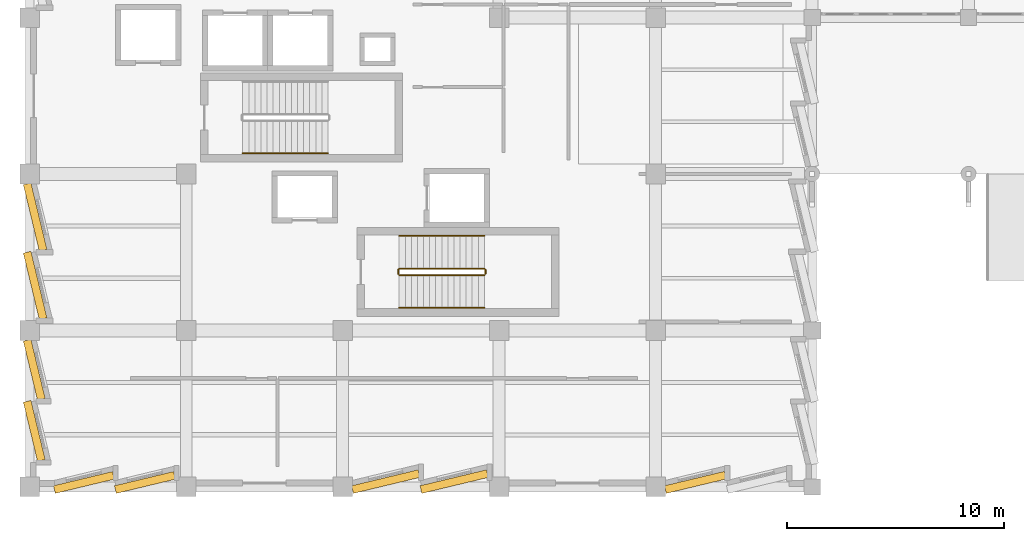
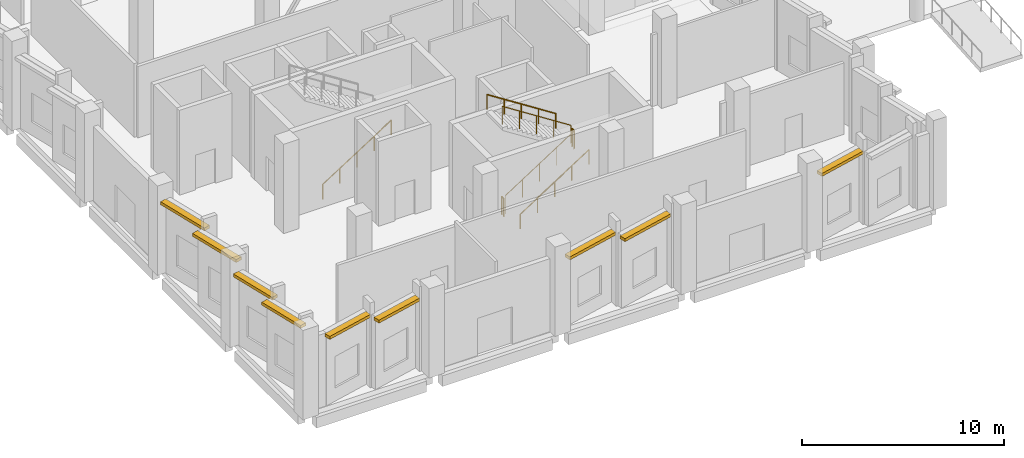
# One storey, part 119 of 137: 9 shading devices, 7 railings.
"""IFC4 building model written with IfcOpenShell, lengths in metres."""

from ifc_helpers import new_model, si_unit, direction, frame, origin, origin_2d, place, context, subcontext, project, spatial, rectangle, circle, extrude, material, layer, layer_set, type_object, element, save


model = new_model("IFC4")

# Units and contexts
model_context = context("Model", 3, precision=1e-05, world=origin(), true_north=direction((0.0, 1.0)))
body_context = subcontext(model_context, "Body", "Model", "MODEL_VIEW")
ifc_project = project(units=[si_unit("LENGTHUNIT", "METRE"), si_unit("AREAUNIT", "SQUARE_METRE"), si_unit("VOLUMEUNIT", "CUBIC_METRE"), si_unit("PLANEANGLEUNIT", "RADIAN"), si_unit("MASSUNIT", "GRAM", prefix="KILO")], contexts=[model_context])

# Site, building, storey
site_placement = place(None, origin())
site = spatial("IfcSite", under=ifc_project, at=site_placement, CompositionType="ELEMENT")
building_placement = place(site_placement, origin())
building = spatial("IfcBuilding", under=site, at=building_placement, Name="Kalmorath City Hall", CompositionType="ELEMENT")
storey_placement = place(building_placement, origin())
storey = spatial("IfcBuildingStorey", under=building, at=storey_placement, Name="L00", CompositionType="ELEMENT", Elevation=0.0)

# Shading devices
ifc_material_1 = material(Name="Precast concrete C40/50", Category="concrete")
ifc_layer = layer(ifc_material_1, 0.179931640625)
ifc_layer_set = layer_set([ifc_layer], Name="Precast concrete C40/50")
shading_device_type = type_object("IfcShadingDeviceType", Name="Precast sawtooth brow sunshade 350", PredefinedType="USERDEFINED", material=ifc_layer_set)
for number, where, z_axis, x_axis, name in (
    (1, (0.2060546875, 2.581787109375, 4.2509765625), (0.0, 0.0, 1.0), (-0.233445363856, 0.972369920398, 0.0), "L00 precast sawtooth hood #1"),
    (2, (0.2060546875, 5.390625, 4.2509765625), (0.0, 0.0, 1.0), (-0.233445363856, 0.972369920398, 0.0), "L00 precast sawtooth hood #2"),
):
    element("IfcShadingDevice", number, at=place(storey_placement, frame(where, z_axis=z_axis, x_axis=x_axis)), inside=storey, type_object=shading_device_type, Name=name, ObjectType="SUNSHADE", PredefinedType="USERDEFINED", context=body_context, shape_type="SweptSolid", body=[
        extrude(rectangle(XDim=2.793701171875, YDim=0.360107421875, at=origin_2d()), origin(), (0.0, 0.0, 1.0), 0.179931640625),
    ])
for number, where, z_axis, x_axis, name in (
    (3, (0.246826171875, 9.271728515625, 4.2509765625), (0.0, 0.0, 1.0), (-0.233445363856, 0.972369920398, 0.0), "L00 precast sawtooth hood #3"),
    (4, (0.246826171875, 12.420654296875, 4.2509765625), (0.0, 0.0, 1.0), (-0.233445363856, 0.972369920398, 0.0), "L00 precast sawtooth hood #4"),
):
    element("IfcShadingDevice", number, at=place(storey_placement, frame(where, z_axis=z_axis, x_axis=x_axis)), inside=storey, type_object=shading_device_type, Name=name, ObjectType="SUNSHADE", PredefinedType="USERDEFINED", context=body_context, shape_type="SweptSolid", body=[
        extrude(rectangle(XDim=3.1435546875, YDim=0.360107421875, at=origin_2d()), origin(), (0.0, 0.0, 1.0), 0.179931640625),
    ])
shading_device_placement = place(storey_placement, frame((30.628173828125, 0.210693359375, 4.201171875), z_axis=(0.0, 0.0, 1.0), x_axis=(-0.972369920398, -0.233445363856, 0.0)))
element("IfcShadingDevice", 5, at=shading_device_placement, inside=storey, type_object=shading_device_type, Name="L00 precast sawtooth hood #57", ObjectType="SUNSHADE", PredefinedType="USERDEFINED", context=body_context, shape_type="SweptSolid", body=[
    extrude(rectangle(XDim=2.83251953125, YDim=0.360107421875, at=origin_2d()), origin(), (0.0, 0.0, 1.0), 0.179931640625),
])
for number, where, z_axis, x_axis, name in (
    (6, (19.5283203125, 0.246826171875, 4.201171875), (0.0, 0.0, 1.0), (-0.972369920398, -0.233445363856, 0.0), "L00 precast sawtooth hood #58"),
    (7, (16.37939453125, 0.246826171875, 4.201171875), (0.0, 0.0, 1.0), (-0.972369920398, -0.233445363856, 0.0), "L00 precast sawtooth hood #59"),
):
    element("IfcShadingDevice", number, at=place(storey_placement, frame(where, z_axis=z_axis, x_axis=x_axis)), inside=storey, type_object=shading_device_type, Name=name, ObjectType="SUNSHADE", PredefinedType="USERDEFINED", context=body_context, shape_type="SweptSolid", body=[
        extrude(rectangle(XDim=3.1435546875, YDim=0.360107421875, at=origin_2d()), origin(), (0.0, 0.0, 1.0), 0.179931640625),
    ])
for number, where, z_axis, x_axis, name in (
    (8, (5.29833984375, 0.2060546875, 4.201171875), (0.0, 0.0, 1.0), (-0.972369920398, -0.233445363856, 0.0), "L00 precast sawtooth hood #60"),
    (9, (2.4892578125, 0.2060546875, 4.201171875), (0.0, 0.0, 1.0), (-0.972369920398, -0.233445363856, 0.0), "L00 precast sawtooth hood #61"),
):
    element("IfcShadingDevice", number, at=place(storey_placement, frame(where, z_axis=z_axis, x_axis=x_axis)), inside=storey, type_object=shading_device_type, Name=name, ObjectType="SUNSHADE", PredefinedType="USERDEFINED", context=body_context, shape_type="SweptSolid", body=[
        extrude(rectangle(XDim=2.793701171875, YDim=0.360107421875, at=origin_2d()), origin(), (0.0, 0.0, 1.0), 0.179931640625),
    ])

# Railings
ifc_material_2 = material(Name="Painted steel guardrail", Category="steel")
railing_type_1 = type_object("IfcRailingType", Name="Protected stair guardrail 1100", PredefinedType="GUARDRAIL", material=ifc_material_2)
railing_1_placement = place(storey_placement, frame((17.0, 9.75, 0.179931640625)))
element("IfcRailing", 10, at=railing_1_placement, inside=storey, type_object=railing_type_1, Name="L00 ST-2 stair guard 1", PredefinedType="GUARDRAIL", context=body_context, shape_type="SweptSolid", body=[
    extrude(circle(Radius=0.02392578125, at=origin_2d()), frame((0.0, 0.0, 1.076171875), z_axis=(0.841171666519, 0.0, 0.540768182723), x_axis=(0.0, 1.0, 0.0)), (0.0, 0.0, 1.0), 4.66015625),
    extrude(circle(Radius=0.02099609375, at=origin_2d()), origin(), (0.0, 0.0, 1.0), 1.052001953125),
    extrude(circle(Radius=0.02099609375, at=origin_2d()), frame((0.97998046875, 0.0, 0.6298828125)), (0.0, 0.0, 1.0), 1.052001953125),
    extrude(circle(Radius=0.02099609375, at=origin_2d()), frame((1.9599609375, 0.0, 1.260009765625)), (0.0, 0.0, 1.0), 1.052001953125),
    extrude(circle(Radius=0.02099609375, at=origin_2d()), frame((2.93994140625, 0.0, 1.89013671875)), (0.0, 0.0, 1.0), 1.052001953125),
    extrude(circle(Radius=0.02099609375, at=origin_2d()), frame((3.919921875, 0.0, 2.52001953125)), (0.0, 0.0, 1.0), 1.052001953125),
])
railing_2_placement = place(storey_placement, frame((20.969970703125, 9.800048828125, 2.699951171875)))
element("IfcRailing", 11, at=railing_2_placement, inside=storey, type_object=railing_type_1, Name="L00 ST-2 stair guard 2", PredefinedType="GUARDRAIL", context=body_context, shape_type="SweptSolid", body=[
    extrude(circle(Radius=0.02392578125, at=origin_2d()), frame((0.0, 0.0, 1.076171875), z_axis=(0.0, 1.0, 0.0), x_axis=(-1.0, 0.0, 0.0)), (0.0, 0.0, 1.0), 0.199951171875),
    extrude(circle(Radius=0.02099609375, at=origin_2d()), origin(), (0.0, 0.0, 1.0), 1.052001953125),
    extrude(circle(Radius=0.02099609375, at=origin_2d()), frame((0.0, 0.199951171875, 0.0)), (0.0, 0.0, 1.0), 1.052001953125),
])
railing_3_placement = place(storey_placement, frame((20.919921875, 10.050048828125, 2.8798828125)))
element("IfcRailing", 12, at=railing_3_placement, inside=storey, type_object=railing_type_1, Name="L00 ST-2 stair guard 3", PredefinedType="GUARDRAIL", context=body_context, shape_type="SweptSolid", body=[
    extrude(circle(Radius=0.02392578125, at=origin_2d()), frame((0.0, 0.0, 1.076171875), z_axis=(-0.841171666519, 0.0, 0.540768182723), x_axis=(0.0, -1.0, 0.0)), (0.0, 0.0, 1.0), 4.66015625),
    extrude(circle(Radius=0.02099609375, at=origin_2d()), origin(), (0.0, 0.0, 1.0), 1.052001953125),
    extrude(circle(Radius=0.02099609375, at=origin_2d()), frame((-0.97998046875, 0.0, 0.6298828125)), (0.0, 0.0, 1.0), 1.052001953125),
    extrude(circle(Radius=0.02099609375, at=origin_2d()), frame((-1.9599609375, 0.0, 1.260009765625)), (0.0, 0.0, 1.0), 1.052001953125),
    extrude(circle(Radius=0.02099609375, at=origin_2d()), frame((-2.93994140625, 0.0, 1.89013671875)), (0.0, 0.0, 1.0), 1.052001953125),
    extrude(circle(Radius=0.02099609375, at=origin_2d()), frame((-3.919921875, 0.0, 2.52001953125)), (0.0, 0.0, 1.0), 1.052001953125),
])
railing_4_placement = place(storey_placement, frame((16.949951171875, 9.800048828125, 0.0)))
element("IfcRailing", 13, at=railing_4_placement, inside=storey, type_object=railing_type_1, Name="L00 ST-2 stair guard 4", PredefinedType="GUARDRAIL", context=body_context, shape_type="SweptSolid", body=[
    extrude(circle(Radius=0.02392578125, at=origin_2d()), frame((0.0, 0.0, 1.076171875), z_axis=(0.0, 1.0, 0.0), x_axis=(-1.0, 0.0, 0.0)), (0.0, 0.0, 1.0), 0.199951171875),
    extrude(circle(Radius=0.02099609375, at=origin_2d()), origin(), (0.0, 0.0, 1.0), 1.052001953125),
    extrude(circle(Radius=0.02099609375, at=origin_2d()), frame((0.0, 0.199951171875, 0.0)), (0.0, 0.0, 1.0), 1.052001953125),
])
ifc_material_3 = material(Name="Brushed stainless steel handrail", Category="steel")
railing_type_2 = type_object("IfcRailingType", Name="Stair pitch handrail 900", PredefinedType="HANDRAIL", material=ifc_material_3)
for number, where, name in (
    (14, (9.800048828125, 15.35009765625, 0.179931640625), "L00 ST-1 stair handrail 1"),
    (15, (17.0, 8.25, 0.179931640625), "L00 ST-2 stair handrail 1"),
):
    element("IfcRailing", number, at=place(storey_placement, frame(where)), inside=storey, type_object=railing_type_2, Name=name, PredefinedType="HANDRAIL", context=body_context, shape_type="SweptSolid", body=[
        extrude(circle(Radius=0.02392578125, at=origin_2d()), frame((0.0, 0.0, 0.8759765625), z_axis=(0.841171666519, 0.0, 0.540768182723), x_axis=(0.0, 1.0, 0.0)), (0.0, 0.0, 1.0), 4.66015625),
        extrude(circle(Radius=0.02099609375, at=origin_2d()), origin(), (0.0, 0.0, 1.0), 0.851806640625),
        extrude(circle(Radius=0.02099609375, at=origin_2d()), frame((0.97998046875, 0.0, 0.6298828125)), (0.0, 0.0, 1.0), 0.851806640625),
        extrude(circle(Radius=0.02099609375, at=origin_2d()), frame((1.9599609375, 0.0, 1.260009765625)), (0.0, 0.0, 1.0), 0.851806640625),
        extrude(circle(Radius=0.02099609375, at=origin_2d()), frame((2.93994140625, 0.0, 1.89013671875)), (0.0, 0.0, 1.0), 0.851806640625),
        extrude(circle(Radius=0.02099609375, at=origin_2d()), frame((3.919921875, 0.0, 2.52001953125)), (0.0, 0.0, 1.0), 0.851806640625),
    ])
railing_5_placement = place(storey_placement, frame((20.919921875, 11.550048828125, 2.8798828125)))
element("IfcRailing", 16, at=railing_5_placement, inside=storey, type_object=railing_type_2, Name="L00 ST-2 stair handrail 2", PredefinedType="HANDRAIL", context=body_context, shape_type="SweptSolid", body=[
    extrude(circle(Radius=0.02392578125, at=origin_2d()), frame((0.0, 0.0, 0.8759765625), z_axis=(-0.841171666519, 0.0, 0.540768182723), x_axis=(0.0, -1.0, 0.0)), (0.0, 0.0, 1.0), 4.66015625),
    extrude(circle(Radius=0.02099609375, at=origin_2d()), origin(), (0.0, 0.0, 1.0), 0.851806640625),
    extrude(circle(Radius=0.02099609375, at=origin_2d()), frame((-0.97998046875, 0.0, 0.6298828125)), (0.0, 0.0, 1.0), 0.851806640625),
    extrude(circle(Radius=0.02099609375, at=origin_2d()), frame((-1.9599609375, 0.0, 1.260009765625)), (0.0, 0.0, 1.0), 0.851806640625),
    extrude(circle(Radius=0.02099609375, at=origin_2d()), frame((-2.93994140625, 0.0, 1.89013671875)), (0.0, 0.0, 1.0), 0.851806640625),
    extrude(circle(Radius=0.02099609375, at=origin_2d()), frame((-3.919921875, 0.0, 2.52001953125)), (0.0, 0.0, 1.0), 0.851806640625),
])

save(model, "model.ifc")
